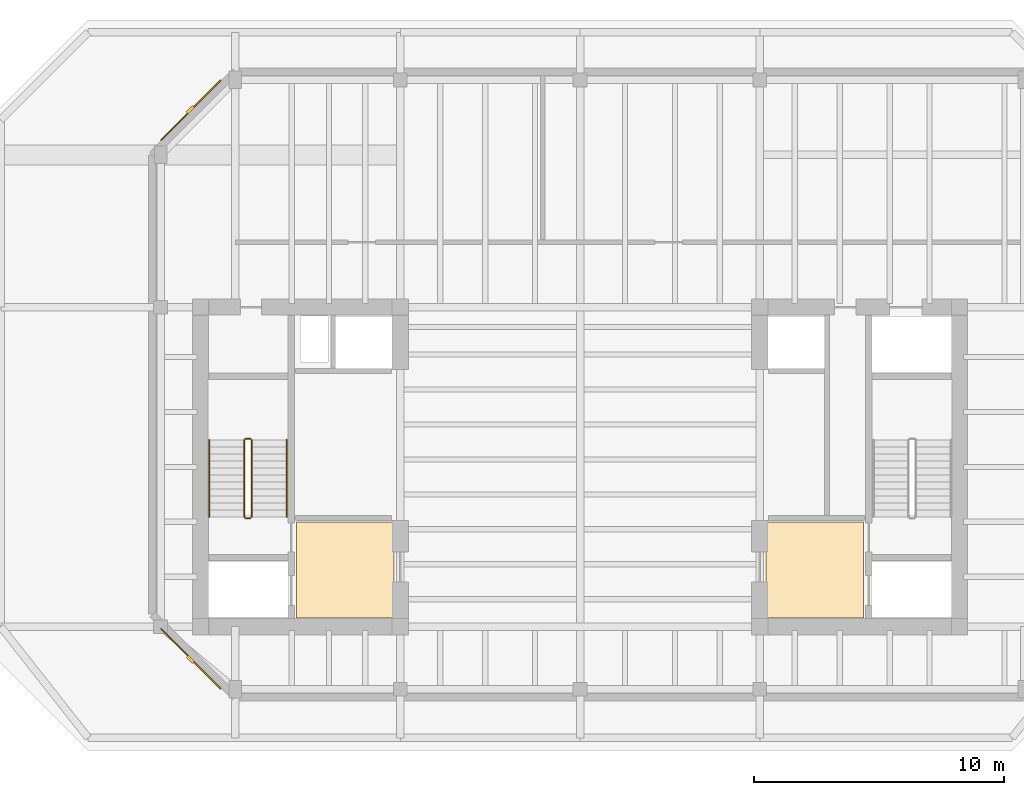
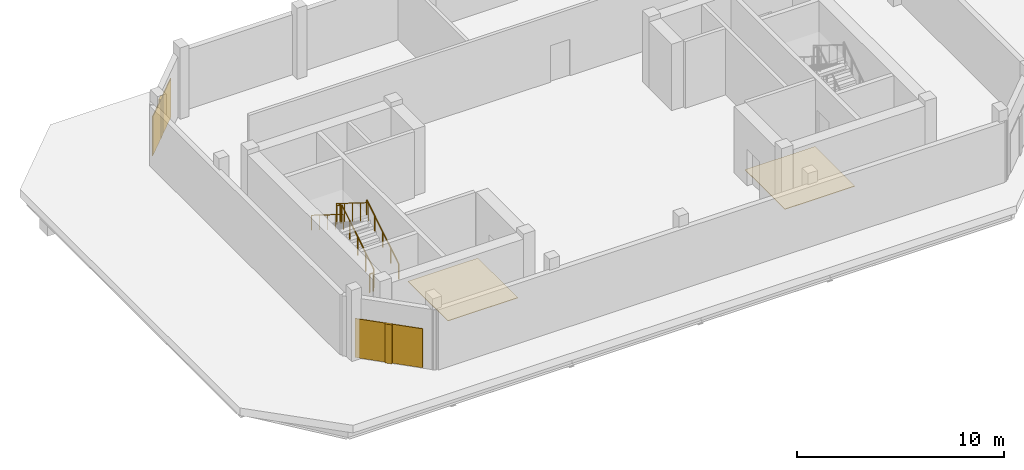
# One storey, part 4 of 5: 6 railings, 4 coverings, 2 shading devices.
"""IFC4 building model written with IfcOpenShell, lengths in metres."""

from ifc_helpers import new_model, si_unit, direction, frame, origin, origin_2d, place, context, subcontext, project, spatial, polyline, rectangle, circle, outline, extrude, material, layer, layer_set, type_object, element, save


model = new_model("IFC4")

# Units and contexts
model_context = context("Model", 3, precision=1e-05, world=origin(), true_north=direction((0.0, 1.0)))
body_context = subcontext(model_context, "Body", "Model", "MODEL_VIEW")
ifc_project = project(units=[si_unit("LENGTHUNIT", "METRE"), si_unit("AREAUNIT", "SQUARE_METRE"), si_unit("VOLUMEUNIT", "CUBIC_METRE"), si_unit("PLANEANGLEUNIT", "RADIAN"), si_unit("MASSUNIT", "GRAM", prefix="KILO")], contexts=[model_context])

# Site, building, storey
site_placement = place(None, origin())
site = spatial("IfcSite", under=ifc_project, at=site_placement, CompositionType="ELEMENT")
building_placement = place(site_placement, origin())
building = spatial("IfcBuilding", under=site, at=building_placement, Name="Kranthara Brick Stack", CompositionType="ELEMENT")
storey_placement = place(building_placement, frame((0.0, 0.0, 292.199951171875)))
storey = spatial("IfcBuildingStorey", under=building, at=storey_placement, Name="L77", CompositionType="ELEMENT", Elevation=292.199951171875)

# Coverings
ifc_material_1 = material(Name="Warm buff kiln-fired brick slip rainscreen", Category="masonry")
ifc_layer_1 = layer(ifc_material_1, 0.044921875)
ifc_layer_set_1 = layer_set([ifc_layer_1], Name="Warm buff kiln-fired brick slip rainscreen")
covering_type_1 = type_object("IfcCoveringType", Name="COV-CLAD-BRICK", PredefinedType="CLADDING", material=ifc_layer_set_1)
for number, where, z_axis, x_axis, name in (
    (1, (12.414794921875, 19.514892578125, 0.0498046875), (0.0, 0.0, 1.0), (-0.707106781187, 0.707106781187, 0.0), "L77 Chamfer Brick Rainscreen Cladding SW"),
    (2, (12.414794921875, 41.485107421875, 0.0498046875), (0.0, 0.0, 1.0), (0.707106781187, 0.707106781187, 0.0), "L77 Chamfer Brick Rainscreen Cladding NW"),
):
    element("IfcCovering", number, at=place(storey_placement, frame(where, z_axis=z_axis, x_axis=x_axis)), inside=storey, type_object=covering_type_1, Name=name, PredefinedType="CLADDING", context=body_context, shape_type="SweptSolid", body=[
        extrude(rectangle(XDim=3.39111328125, YDim=0.044921875, at=origin_2d()), origin(), (0.0, 0.0, 1.0), 2.300048828125),
    ])
ifc_material_2 = material(Name="Honed terrazzo and porcelain floor finish", Category="stone")
ifc_layer_2 = layer(ifc_material_2, 0.030029296875)
ifc_layer_set_2 = layer_set([ifc_layer_2], Name="Honed terrazzo and porcelain floor finish")
covering_type_2 = type_object("IfcCoveringType", Name="COV-FLOR-STONE", PredefinedType="FLOORING", material=ifc_layer_set_2)
covering_1_placement = place(storey_placement, origin())
element("IfcCovering", 3, at=covering_1_placement, inside=storey, type_object=covering_type_2, Name="L77 Lift Lobby Stone Flooring", PredefinedType="FLOORING", context=body_context, shape_type="SweptSolid", body=[
    extrude(outline(polyline([(20.550048828125, 21.14990234375), (20.550048828125, 25.0), (16.64990234375, 25.0), (16.64990234375, 21.14990234375), (20.550048828125, 21.14990234375)])), origin(), (0.0, 0.0, 1.0), 0.030029296875),
])
covering_2_placement = place(storey_placement, origin())
element("IfcCovering", 4, at=covering_2_placement, inside=storey, type_object=covering_type_2, Name="L77 Lift Lobby Stone Flooring", PredefinedType="FLOORING", context=body_context, shape_type="SweptSolid", body=[
    extrude(outline(polyline([(39.35009765625, 21.14990234375), (39.35009765625, 25.0), (35.449951171875, 25.0), (35.449951171875, 21.14990234375), (39.35009765625, 21.14990234375)])), origin(), (0.0, 0.0, 1.0), 0.030029296875),
])

# Railings
ifc_material_3 = material(Name="Painted galvanized steel stair guardrail", Category="steel")
railing_type_1 = type_object("IfcRailingType", Name="RL-STAIR-GUARD-1100", PredefinedType="GUARDRAIL", material=ifc_material_3)
railing_1_placement = place(storey_placement, frame((14.85009765625, 25.199951171875, 0.175048828125)))
element("IfcRailing", 5, at=railing_1_placement, inside=storey, type_object=railing_type_1, Name="L77 ST01 stair guard 1", PredefinedType="GUARDRAIL", context=body_context, shape_type="SweptSolid", body=[
    extrude(circle(Radius=0.02392578125, at=origin_2d()), frame((0.0, 0.0, 1.076171875), z_axis=(0.0, 0.847998304005, 0.529998940003), x_axis=(-1.0, 0.0, 0.0)), (0.0, 0.0, 1.0), 3.632080078125),
    extrude(circle(Radius=0.02099609375, at=origin_2d()), origin(), (0.0, 0.0, 1.0), 1.052001953125),
    extrude(circle(Radius=0.02099609375, at=origin_2d()), frame((0.0, 0.77001953125, 0.481201171875)), (0.0, 0.0, 1.0), 1.052001953125),
    extrude(circle(Radius=0.02099609375, at=origin_2d()), frame((0.0, 1.5400390625, 0.96240234375)), (0.0, 0.0, 1.0), 1.052001953125),
    extrude(circle(Radius=0.02099609375, at=origin_2d()), frame((0.0, 2.31005859375, 1.44384765625)), (0.0, 0.0, 1.0), 1.052001953125),
    extrude(circle(Radius=0.02099609375, at=origin_2d()), frame((0.0, 3.080078125, 1.925048828125)), (0.0, 0.0, 1.0), 1.052001953125),
])
railing_2_placement = place(storey_placement, frame((14.800048828125, 28.330078125, 2.10009765625)))
element("IfcRailing", 6, at=railing_2_placement, inside=storey, type_object=railing_type_1, Name="L77 ST01 stair guard 2", PredefinedType="GUARDRAIL", context=body_context, shape_type="SweptSolid", body=[
    extrude(circle(Radius=0.02392578125, at=origin_2d()), frame((0.0, 0.0, 1.076171875), z_axis=(-1.0, 0.0, 0.0), x_axis=(0.0, -1.0, 0.0)), (0.0, 0.0, 1.0), 0.199951171875),
    extrude(circle(Radius=0.02099609375, at=origin_2d()), origin(), (0.0, 0.0, 1.0), 1.052001953125),
    extrude(circle(Radius=0.02099609375, at=origin_2d()), frame((-0.199951171875, 0.0, 0.0)), (0.0, 0.0, 1.0), 1.052001953125),
])
railing_3_placement = place(storey_placement, frame((14.550048828125, 28.280029296875, 2.275146484375)))
element("IfcRailing", 7, at=railing_3_placement, inside=storey, type_object=railing_type_1, Name="L77 ST01 stair guard 3", PredefinedType="GUARDRAIL", context=body_context, shape_type="SweptSolid", body=[
    extrude(circle(Radius=0.02392578125, at=origin_2d()), frame((0.0, 0.0, 1.076171875), z_axis=(0.0, -0.848028513186, 0.529950602248), x_axis=(1.0, 0.0, 0.0)), (0.0, 0.0, 1.0), 3.632080078125),
    extrude(circle(Radius=0.02099609375, at=origin_2d()), origin(), (0.0, 0.0, 1.0), 1.052001953125),
    extrude(circle(Radius=0.02099609375, at=origin_2d()), frame((0.0, -0.77001953125, 0.481201171875)), (0.0, 0.0, 1.0), 1.052001953125),
    extrude(circle(Radius=0.02099609375, at=origin_2d()), frame((0.0, -1.5400390625, 0.96240234375)), (0.0, 0.0, 1.0), 1.052001953125),
    extrude(circle(Radius=0.02099609375, at=origin_2d()), frame((0.0, -2.31005859375, 1.443603515625)), (0.0, 0.0, 1.0), 1.052001953125),
    extrude(circle(Radius=0.02099609375, at=origin_2d()), frame((0.0, -3.080078125, 1.9248046875)), (0.0, 0.0, 1.0), 1.052001953125),
])
railing_4_placement = place(storey_placement, frame((14.800048828125, 25.14990234375, 0.0)))
element("IfcRailing", 8, at=railing_4_placement, inside=storey, type_object=railing_type_1, Name="L77 ST01 stair guard 4", PredefinedType="GUARDRAIL", context=body_context, shape_type="SweptSolid", body=[
    extrude(circle(Radius=0.02392578125, at=origin_2d()), frame((0.0, 0.0, 1.076171875), z_axis=(-1.0, 0.0, 0.0), x_axis=(0.0, -1.0, 0.0)), (0.0, 0.0, 1.0), 0.199951171875),
    extrude(circle(Radius=0.02099609375, at=origin_2d()), origin(), (0.0, 0.0, 1.0), 1.052001953125),
    extrude(circle(Radius=0.02099609375, at=origin_2d()), frame((-0.199951171875, 0.0, 0.0)), (0.0, 0.0, 1.0), 1.052001953125),
])
ifc_material_4 = material(Name="Brushed stainless steel tubular handrail", Category="steel")
railing_type_2 = type_object("IfcRailingType", Name="RL-STAIR-HAND-900", PredefinedType="HANDRAIL", material=ifc_material_4)
railing_5_placement = place(storey_placement, frame((16.25, 25.199951171875, 0.175048828125)))
element("IfcRailing", 9, at=railing_5_placement, inside=storey, type_object=railing_type_2, Name="L77 ST01 stair handrail 1", PredefinedType="HANDRAIL", context=body_context, shape_type="SweptSolid", body=[
    extrude(circle(Radius=0.02392578125, at=origin_2d()), frame((0.0, 0.0, 0.8759765625), z_axis=(0.0, 0.847998304005, 0.529998940003), x_axis=(-1.0, 0.0, 0.0)), (0.0, 0.0, 1.0), 3.632080078125),
    extrude(circle(Radius=0.02099609375, at=origin_2d()), origin(), (0.0, 0.0, 1.0), 0.851806640625),
    extrude(circle(Radius=0.02099609375, at=origin_2d()), frame((0.0, 0.77001953125, 0.481201171875)), (0.0, 0.0, 1.0), 0.851806640625),
    extrude(circle(Radius=0.02099609375, at=origin_2d()), frame((0.0, 1.5400390625, 0.96240234375)), (0.0, 0.0, 1.0), 0.851806640625),
    extrude(circle(Radius=0.02099609375, at=origin_2d()), frame((0.0, 2.31005859375, 1.44384765625)), (0.0, 0.0, 1.0), 0.851806640625),
    extrude(circle(Radius=0.02099609375, at=origin_2d()), frame((0.0, 3.080078125, 1.925048828125)), (0.0, 0.0, 1.0), 0.851806640625),
])
railing_6_placement = place(storey_placement, frame((13.14990234375, 28.280029296875, 2.275146484375)))
element("IfcRailing", 10, at=railing_6_placement, inside=storey, type_object=railing_type_2, Name="L77 ST01 stair handrail 2", PredefinedType="HANDRAIL", context=body_context, shape_type="SweptSolid", body=[
    extrude(circle(Radius=0.02392578125, at=origin_2d()), frame((0.0, 0.0, 0.8759765625), z_axis=(0.0, -0.848028513186, 0.529950602248), x_axis=(1.0, 0.0, 0.0)), (0.0, 0.0, 1.0), 3.632080078125),
    extrude(circle(Radius=0.02099609375, at=origin_2d()), origin(), (0.0, 0.0, 1.0), 0.851806640625),
    extrude(circle(Radius=0.02099609375, at=origin_2d()), frame((0.0, -0.77001953125, 0.481201171875)), (0.0, 0.0, 1.0), 0.851806640625),
    extrude(circle(Radius=0.02099609375, at=origin_2d()), frame((0.0, -1.5400390625, 0.96240234375)), (0.0, 0.0, 1.0), 0.851806640625),
    extrude(circle(Radius=0.02099609375, at=origin_2d()), frame((0.0, -2.31005859375, 1.443603515625)), (0.0, 0.0, 1.0), 0.851806640625),
    extrude(circle(Radius=0.02099609375, at=origin_2d()), frame((0.0, -3.080078125, 1.9248046875)), (0.0, 0.0, 1.0), 0.851806640625),
])

# Shading devices
ifc_material_5 = material(Name="Kiln-fired terracotta aerodynamic wind fin", Category="masonry")
shading_device_type = type_object("IfcShadingDeviceType", Name="SHD-BAFFLE-CORNER", PredefinedType="SHUTTER", material=ifc_material_5)
for number, where, z_axis, x_axis, name in (
    (11, (12.3935546875, 19.49365234375, 0.0498046875), (0.0, 0.0, 1.0), (-0.707106781187, 0.707106781187, 0.0), "L77 Chamfer Wind-Baffle Fin SW"),
    (12, (12.3935546875, 41.50634765625, 0.0498046875), (0.0, 0.0, 1.0), (0.707106781187, 0.707106781187, 0.0), "L77 Chamfer Wind-Baffle Fin NW"),
):
    element("IfcShadingDevice", number, at=place(storey_placement, frame(where, z_axis=z_axis, x_axis=x_axis)), inside=storey, type_object=shading_device_type, Name=name, PredefinedType="SHUTTER", context=body_context, shape_type="SweptSolid", body=[
        extrude(rectangle(XDim=0.35009765625, YDim=0.1201171875, at=origin_2d()), origin(), (0.0, 0.0, 1.0), 2.300048828125),
    ])

save(model, "model.ifc")
